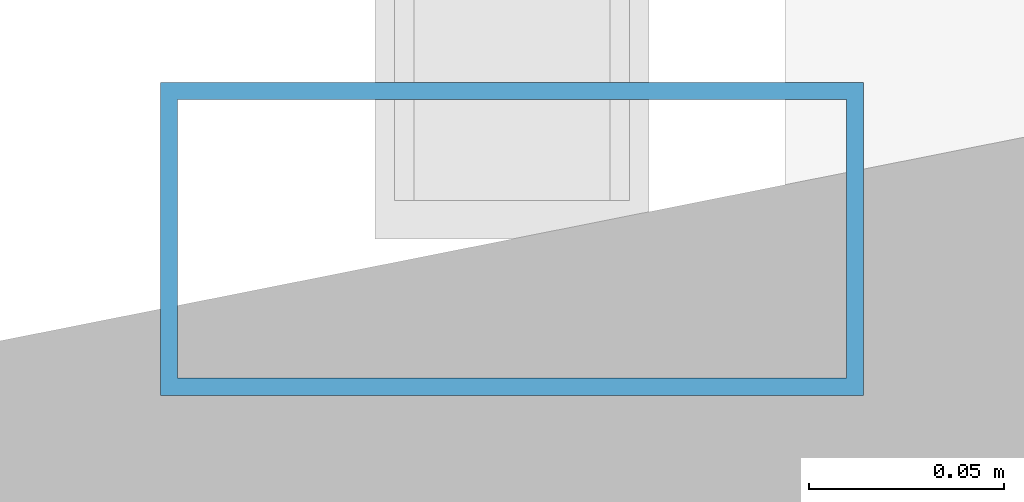
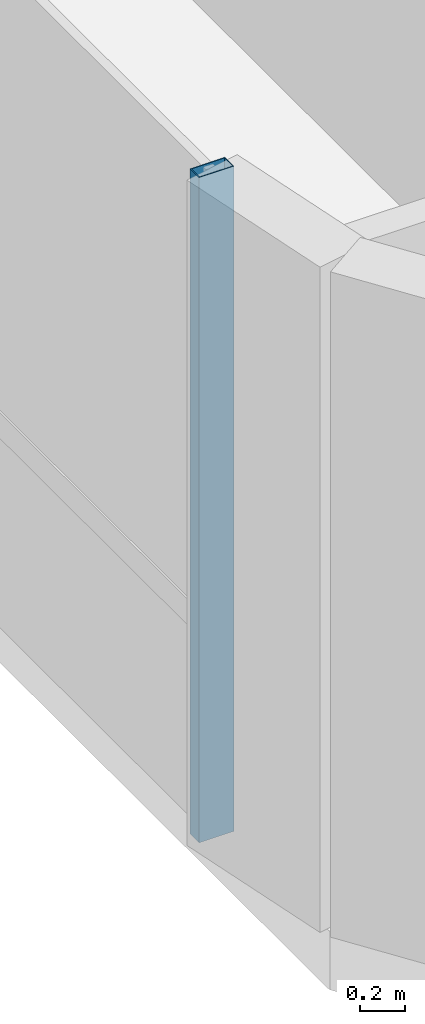
# One storey, part 10 of 37: 1 member, 1 element without a shape of its own.
"""IFC4 building model written with IfcOpenShell, lengths in metres."""

import ifcopenshell
import ifcopenshell.guid

model = None  # the IFC model being written
_history = None  # IfcOwnerHistory: only IFC2X3 demands one
_inside = {}  # id of a spatial element -> (the spatial element, [elements in it])
_under = {}  # id of a project, library or spatial element -> (it, [spatial elements below it])
_declared = {}  # id of a project -> (the project, [libraries it declares])
_typed = {}  # id of a type object -> (the type object, [elements of that type])
_made_of = {}  # id of a material, layer set ... -> (it, [elements and type objects made of it])


def new_model(schema):
    """Start an empty IFC model of exactly this schema.

    Asked for "IFC4X3", IfcOpenShell would pick the latest addendum, in which some entities
    have other attributes; the version numbers below select the first issue.
    IFC2X3 requires an IfcOwnerHistory on every rooted entity: one is made here for all.
    """
    global model, _history
    if schema == "IFC4X3":
        model = ifcopenshell.file(schema_version=(4, 3, 0, 0))
    else:
        model = ifcopenshell.file(schema=schema)
    _inside.clear()
    _under.clear()
    _declared.clear()
    _typed.clear()
    _made_of.clear()
    _history = None
    if model.schema == "IFC2X3":
        org = make("IfcOrganization", Name="unknown")
        user = make(
            "IfcPersonAndOrganization",
            ThePerson=make("IfcPerson", FamilyName="unknown"),
            TheOrganization=org,
        )
        app = make(
            "IfcApplication",
            ApplicationDeveloper=org,
            Version="unknown",
            ApplicationFullName="unknown",
            ApplicationIdentifier="unknown",
        )
        _history = make(
            "IfcOwnerHistory",
            OwningUser=user,
            OwningApplication=app,
            ChangeAction="ADDED",
            CreationDate=0,
        )
    return model


def make(cls, **values):
    """One entity of the class cls with the attributes given. An attribute that is None is left unset."""
    return model.create_entity(
        cls, **{name: value for name, value in values.items() if value is not None}
    )


def rooted(cls, **values):
    """An entity with a GlobalId (a new one), such as an element, a storey or a relation."""
    return make(cls, GlobalId=ifcopenshell.guid.new(), OwnerHistory=_history, **values)


def si_unit(unit_type, name, prefix=None):
    """IfcSIUnit, for example si_unit("LENGTHUNIT", "METRE", prefix="MILLI")."""
    return make("IfcSIUnit", UnitType=unit_type, Prefix=prefix, Name=name)


def assignment(units):
    """IfcUnitAssignment: the units of a project."""
    return None if units is None else make("IfcUnitAssignment", Units=units)


def point(xyz):
    """IfcCartesianPoint."""
    return None if xyz is None else make("IfcCartesianPoint", Coordinates=xyz)


def direction(xyz):
    """IfcDirection."""
    return None if xyz is None else make("IfcDirection", DirectionRatios=xyz)


def frame(location, z_axis=None, x_axis=None):
    """IfcAxis2Placement3D, a coordinate frame: its origin and axes. An axis left out is left unset."""
    return make(
        "IfcAxis2Placement3D",
        Location=point(location),
        Axis=direction(z_axis),
        RefDirection=direction(x_axis),
    )


def frame_2d(location, x_axis=None):
    """IfcAxis2Placement2D, a coordinate frame in the plane: its origin and x axis."""
    return make(
        "IfcAxis2Placement2D", Location=point(location), RefDirection=direction(x_axis)
    )


def origin():
    """The frame at (0, 0, 0) with its axes left unset."""
    return frame((0.0, 0.0, 0.0))


def origin_2d():
    """The frame at (0, 0) in the plane with its x axis left unset."""
    return frame_2d((0.0, 0.0))


def place(relative_to, where):
    """IfcLocalPlacement: puts the frame where relative to a parent placement (None: the world)."""
    return make(
        "IfcLocalPlacement", PlacementRelTo=relative_to, RelativePlacement=where
    )


def context(
    kind, dimensions, precision=None, world=None, true_north=None, identifier=None
):
    """IfcGeometricRepresentationContext, for example the 3D "Model" context."""
    return make(
        "IfcGeometricRepresentationContext",
        ContextIdentifier=identifier,
        ContextType=kind,
        CoordinateSpaceDimension=dimensions,
        Precision=precision,
        WorldCoordinateSystem=world,
        TrueNorth=true_north,
    )


def subcontext(parent, identifier, kind, view, scale=None):
    """IfcGeometricRepresentationSubContext, for example "Body" below "Model"."""
    return make(
        "IfcGeometricRepresentationSubContext",
        ContextIdentifier=identifier,
        ContextType=kind,
        ParentContext=parent,
        TargetScale=scale,
        TargetView=view,
    )


def project(units=None, contexts=None):
    """IfcProject with its units and contexts."""
    return rooted(
        "IfcProject",
        Name="project",
        RepresentationContexts=contexts,
        UnitsInContext=assignment(units),
    )


def spatial(cls, under=None, at=None, **own):
    """A site, building, storey or space (cls), placed at a placement, below another one or the project."""
    s = rooted(cls, ObjectPlacement=at, **own)
    if under is not None:
        _under.setdefault(under.id(), (under, []))[1].append(s)
    return s


def profile(cls, at=None, kind="AREA", **sizes):
    """A parametric profile (cls). Its sizes go by their IFC names, for example OverallWidth=200.0."""
    return make(cls, ProfileType=kind, Position=at, **sizes)


def hollow_rectangle(**sizes):
    """IfcRectangleHollowProfileDef."""
    return profile("IfcRectangleHollowProfileDef", **sizes)


def extrude(swept, where, along, depth):
    """IfcExtrudedAreaSolid: the profile swept, set in the frame where, extruded along a direction by depth."""
    return make(
        "IfcExtrudedAreaSolid",
        SweptArea=swept,
        Position=where,
        ExtrudedDirection=direction(along),
        Depth=depth,
    )


def shape(context_of_items, identifier, shape_type, items):
    """IfcShapeRepresentation: the items that make up one representation, for example the "Body"."""
    return make(
        "IfcShapeRepresentation",
        ContextOfItems=context_of_items,
        RepresentationIdentifier=identifier,
        RepresentationType=shape_type,
        Items=items,
    )


def source(mapping_origin, context_of_items, identifier, shape_type, items):
    """IfcRepresentationMap: a shape defined once, which mapped items show again and again."""
    return make(
        "IfcRepresentationMap",
        MappingOrigin=mapping_origin,
        MappedRepresentation=shape(context_of_items, identifier, shape_type, items),
    )


def transform(
    local_origin,
    x_axis=None,
    y_axis=None,
    z_axis=None,
    scale=None,
    scale2=None,
    scale3=None,
    uniform=True,
):
    """IfcCartesianTransformationOperator3D, or its non-uniform kind. x_axis, y_axis, z_axis: its Axis1, 2, 3."""
    if uniform:
        return make(
            "IfcCartesianTransformationOperator3D",
            Axis1=direction(x_axis),
            Axis2=direction(y_axis),
            LocalOrigin=point(local_origin),
            Scale=scale,
            Axis3=direction(z_axis),
        )
    return make(
        "IfcCartesianTransformationOperator3DnonUniform",
        Axis1=direction(x_axis),
        Axis2=direction(y_axis),
        LocalOrigin=point(local_origin),
        Scale=scale,
        Axis3=direction(z_axis),
        Scale2=scale2,
        Scale3=scale3,
    )


def mapped(mapping_source, mapping_target):
    """IfcMappedItem: shows the shape of a source again, moved by a transform."""
    return make(
        "IfcMappedItem", MappingSource=mapping_source, MappingTarget=mapping_target
    )


def material(Name=None, Category=None):
    """IfcMaterial."""
    return make("IfcMaterial", Name=Name, Category=Category)


def material_profile(
    of_material, cross_section, Name=None, Category=None, Priority=None
):
    """IfcMaterialProfile: a cross section and its material."""
    return make(
        "IfcMaterialProfile",
        Name=Name,
        Material=of_material,
        Profile=cross_section,
        Priority=Priority,
        Category=Category,
    )


def profile_set(profiles, Name=None, composite=None):
    """IfcMaterialProfileSet."""
    return make(
        "IfcMaterialProfileSet",
        Name=Name,
        MaterialProfiles=profiles,
        CompositeProfile=composite,
    )


def made_of(thing, what):
    """Note that an element or type object is made of a material, layer set ...; save() writes the relation."""
    if what is not None:
        _made_of.setdefault(what.id(), (what, []))[1].append(thing)
    return thing


def type_object(cls, material=None, **own):
    """A type object (cls), such as IfcWallType, which elements share."""
    return made_of(rooted(cls, **own), material)


def element(
    cls,
    number,
    at=None,
    inside=None,
    cuts=None,
    type_object=None,
    material=None,
    context=None,
    identifier="Body",
    shape_type=None,
    held_by="IfcProductDefinitionShape",
    body=None,
    shapes=None,
    **own,
):
    """One element of the class cls, such as IfcWall. Its Tag is "e" and its number.

    at: its placement. inside: the storey or other place that contains it. cuts: it is an
    opening in that element (IfcRelVoidsElement). A single representation is given by context,
    identifier, shape_type and body (its items); several are given by shapes. held_by: the class
    of the entity that holds the representations. save() writes the other relations.
    """
    e = rooted(cls, Tag="e%d" % number, ObjectPlacement=at, **own)
    if body is not None:
        shapes = [shape(context, identifier, shape_type, body)]
    if shapes is not None:
        e.Representation = make(held_by, Representations=shapes)
    if inside is not None:
        _inside.setdefault(inside.id(), (inside, []))[1].append(e)
    if cuts is not None:
        rooted(
            "IfcRelVoidsElement", RelatingBuildingElement=cuts, RelatedOpeningElement=e
        )
    if type_object is not None:
        _typed.setdefault(type_object.id(), (type_object, []))[1].append(e)
    return made_of(e, material)


def aggregate(whole, parts):
    """IfcRelAggregates: a whole, such as a stair, and the parts it consists of."""
    return rooted("IfcRelAggregates", RelatingObject=whole, RelatedObjects=parts)


def save(model, path):
    """Write the relations noted so far, then the file.

    IfcRelAggregates (storeys below a building ...), IfcRelContainedInSpatialStructure (elements
    in a storey), IfcRelDefinesByType, IfcRelAssociatesMaterial and IfcRelDeclares: one each for
    every whole, place, type object, material and project.
    """
    for whole, parts in _under.values():
        aggregate(whole, parts)
    for where, things in _inside.values():
        rooted(
            "IfcRelContainedInSpatialStructure",
            RelatedElements=things,
            RelatingStructure=where,
        )
    for kind, things in _typed.values():
        rooted("IfcRelDefinesByType", RelatedObjects=things, RelatingType=kind)
    for what, things in _made_of.values():
        rooted("IfcRelAssociatesMaterial", RelatedObjects=things, RelatingMaterial=what)
    for by, libraries in _declared.values():
        rooted("IfcRelDeclares", RelatingContext=by, RelatedDefinitions=libraries)
    model.write(path)


model = new_model("IFC4")

# Units and contexts
model_context = context("Model", 3, precision=1e-05, world=origin(), true_north=direction((0.0, 1.0)))
body_context = subcontext(model_context, "Body", "Model", "MODEL_VIEW")
ifc_project = project(units=[si_unit("LENGTHUNIT", "METRE"), si_unit("AREAUNIT", "SQUARE_METRE"), si_unit("VOLUMEUNIT", "CUBIC_METRE"), si_unit("PLANEANGLEUNIT", "RADIAN"), si_unit("MASSUNIT", "GRAM", prefix="KILO")], contexts=[model_context])

# Site, building, storey
site_placement = place(None, origin())
site = spatial("IfcSite", under=ifc_project, at=site_placement, CompositionType="ELEMENT")
building_placement = place(site_placement, origin())
building = spatial("IfcBuilding", under=site, at=building_placement, Name="Valdorenza Pilgrim Sanctuary Tower", CompositionType="ELEMENT")
storey_placement = place(building_placement, frame((0.0, 0.0, 188.39990234375)))
storey = spatial("IfcBuildingStorey", under=building, at=storey_placement, Name="L48", CompositionType="ELEMENT", Elevation=188.39990234375)

# Curtain wall, member
ifc_material_1 = material(Name="Curtain-wall IGU glazing", Category="glass")
curtain_wall_type = type_object("IfcCurtainWallType", Name="CW-SYS-05", PredefinedType="NOTDEFINED", material=ifc_material_1)
curtain_wall_placement = place(storey_placement, origin())
curtain_wall = element("IfcCurtainWall", 1, at=curtain_wall_placement, inside=storey, type_object=curtain_wall_type, Name="L48 Curtain Wall CW-L48-1-47", PredefinedType="NOTDEFINED")
ifc_material_2 = material(Name="Anodised aluminium AW-6060", Category="aluminium")
ifc_material_profile = material_profile(ifc_material_2, hollow_rectangle(XDim=0.080078125, YDim=0.179931640625, WallThickness=0.00439453125, at=origin_2d()), Name="ALU-M 180x80x4.5")
ifc_profile_set = profile_set([ifc_material_profile], Name="Anodised aluminium AW-6060")
member_type = type_object("IfcMemberType", Name="CW-MUL-05", PredefinedType="MULLION", material=ifc_profile_set)
shared_shape = source(origin(), body_context, "Body", "SweptSolid", [
    extrude(hollow_rectangle(XDim=0.080078125, YDim=0.179931640625, WallThickness=0.00439453125, at=origin_2d()), origin(), (0.0, 0.0, 1.0), 3.630126953125),
])
member_placement = place(storey_placement, frame((13.610107421875, -9.589111328125, 0.0), z_axis=(0.0, 0.0, 1.0), x_axis=(0.0, 1.0, 0.0)))
member = element("IfcMember", 2, at=member_placement, type_object=member_type, Name="CW-L48-1-47 Mullion 1", PredefinedType="MULLION", context=body_context, shape_type="MappedRepresentation", body=[
    mapped(shared_shape, transform((0.0, 0.0, 0.0), x_axis=(1.0, 0.0, 0.0), y_axis=(0.0, 1.0, 0.0), z_axis=(0.0, 0.0, 1.0), scale=1.0)),
])
aggregate(curtain_wall, [member])

save(model, "model.ifc")
